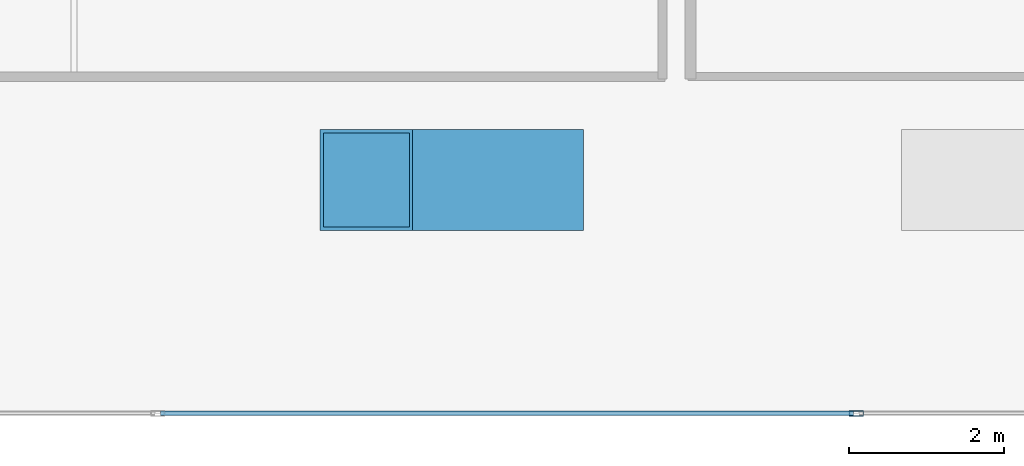
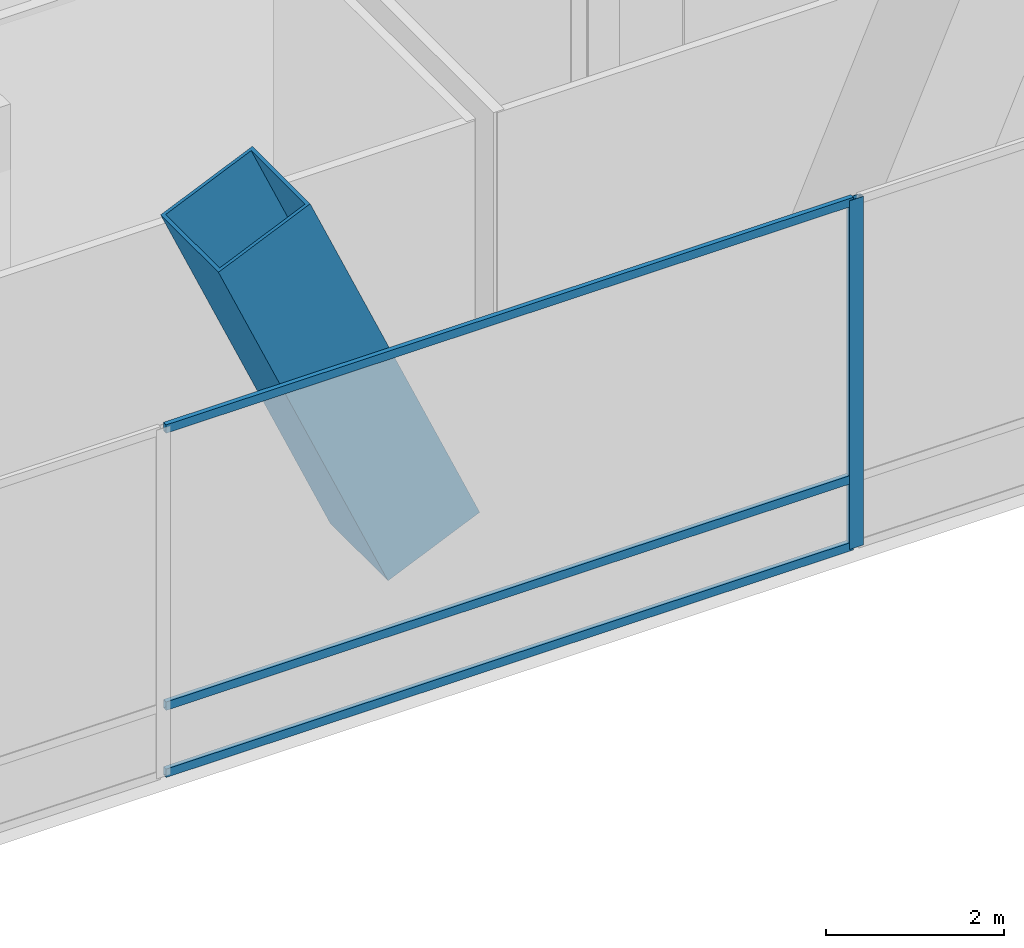
# One storey, part 13 of 42: 5 members, 1 element without a shape of its own.
"""IFC4 building model written with IfcOpenShell, lengths in metres."""

from ifc_helpers import new_model, si_unit, direction, frame, origin, origin_2d, place, context, subcontext, project, spatial, hollow_rectangle, extrude, material, layer, layer_set, material_profile, profile_set, type_object, element, aggregate, save


model = new_model("IFC4")

# Units and contexts
model_context = context("Model", 3, precision=1e-05, world=origin(), true_north=direction((0.0, 1.0)))
body_context = subcontext(model_context, "Body", "Model", "MODEL_VIEW")
ifc_project = project(units=[si_unit("LENGTHUNIT", "METRE"), si_unit("AREAUNIT", "SQUARE_METRE"), si_unit("VOLUMEUNIT", "CUBIC_METRE"), si_unit("PLANEANGLEUNIT", "RADIAN"), si_unit("MASSUNIT", "GRAM", prefix="KILO")], contexts=[model_context])

# Site, building, storey
site_placement = place(None, origin())
site = spatial("IfcSite", under=ifc_project, at=site_placement, CompositionType="ELEMENT")
building_placement = place(site_placement, origin())
building = spatial("IfcBuilding", under=site, at=building_placement, Name="Qianvela Tower", CompositionType="ELEMENT")
storey_placement = place(building_placement, frame((0.0, 0.0, 6.0)))
storey = spatial("IfcBuildingStorey", under=building, at=storey_placement, Name="L01", CompositionType="ELEMENT", Elevation=6.0)

# Curtain wall, members
ifc_material_1 = material(Name="Anodised Architectural Aluminium and Low-E Glass", Category="aluminium")
ifc_layer = layer(ifc_material_1, 0.179931640625)
ifc_layer_set = layer_set([ifc_layer], Name="Anodised Architectural Aluminium and Low-E Glass")
curtain_wall_type = type_object("IfcCurtainWallType", Name="CW-COMMONS", PredefinedType="USERDEFINED", material=ifc_layer_set)
curtain_wall_placement = place(storey_placement, origin())
curtain_wall = element("IfcCurtainWall", 1, at=curtain_wall_placement, inside=storey, type_object=curtain_wall_type, Name="L01 CW-COMMONS Curtain Wall 01", ObjectType="CURTAIN_WALL_SYSTEM", PredefinedType="USERDEFINED")
ifc_material_2 = material(Name="Anodised Architectural Aluminium 6063-T6", Category="aluminium")
ifc_material_profile_1 = material_profile(ifc_material_2, hollow_rectangle(XDim=0.070068359375, YDim=0.179931640625, WallThickness=0.0048828125, at=origin_2d()), Name="ALU-MULL-70x180")
ifc_profile_set_1 = profile_set([ifc_material_profile_1], Name="Anodised Architectural Aluminium 6063-T6")
member_type_1 = type_object("IfcMemberType", Name="CW-COMMONS-MULL", PredefinedType="MULLION", material=ifc_profile_set_1)
member_1_placement = place(storey_placement, frame((59.96435546875, 1.5, 0.0), z_axis=(0.0, 0.0, 1.0), x_axis=(0.0, 1.0, 0.0)))
member_1 = element("IfcMember", 2, at=member_1_placement, type_object=member_type_1, Name="CW-2 mullion 7", PredefinedType="MULLION", context=body_context, shape_type="SweptSolid", body=[
    extrude(hollow_rectangle(XDim=0.070068359375, YDim=0.179931640625, WallThickness=0.0048828125, at=origin_2d()), origin(), (0.0, 0.0, 1.0), 4.780029296875),
])
ifc_material_3 = material(Name="Anodised Architectural Aluminium 6063-T6", Category="aluminium")
ifc_material_profile_2 = material_profile(ifc_material_3, hollow_rectangle(XDim=0.06005859375, YDim=0.114990234375, WallThickness=0.00390625, at=origin_2d()), Name="ALU-TRAN-60x115")
ifc_profile_set_2 = profile_set([ifc_material_profile_2], Name="Anodised Architectural Aluminium 6063-T6")
member_type_2 = type_object("IfcMemberType", Name="CW-COMMONS-TRAN", PredefinedType="USERDEFINED", material=ifc_profile_set_2)
member_2_placement = place(storey_placement, frame((51.013671875, 1.5, 0.030029296875), z_axis=(1.0, 0.0, 0.0), x_axis=(0.0, 1.0, 0.0)))
member_2 = element("IfcMember", 3, at=member_2_placement, type_object=member_type_2, Name="CW-2 transom 6.1", ObjectType="TRANSOM", PredefinedType="USERDEFINED", context=body_context, shape_type="SweptSolid", body=[
    extrude(hollow_rectangle(XDim=0.06005859375, YDim=0.114990234375, WallThickness=0.00390625, at=origin_2d()), origin(), (0.0, 0.0, 1.0), 8.91552734375),
])
member_3_placement = place(storey_placement, frame((51.013671875, 1.5, 0.949951171875), z_axis=(1.0, 0.0, 0.0), x_axis=(0.0, 1.0, 0.0)))
member_3 = element("IfcMember", 4, at=member_3_placement, type_object=member_type_2, Name="CW-2 transom 6.2", ObjectType="TRANSOM", PredefinedType="USERDEFINED", context=body_context, shape_type="SweptSolid", body=[
    extrude(hollow_rectangle(XDim=0.06005859375, YDim=0.114990234375, WallThickness=0.00390625, at=origin_2d()), origin(), (0.0, 0.0, 1.0), 8.91552734375),
])
member_4_placement = place(storey_placement, frame((51.013671875, 1.5, 4.75), z_axis=(1.0, 0.0, 0.0), x_axis=(0.0, 1.0, 0.0)))
member_4 = element("IfcMember", 5, at=member_4_placement, type_object=member_type_2, Name="CW-2 transom 6.3", ObjectType="TRANSOM", PredefinedType="USERDEFINED", context=body_context, shape_type="SweptSolid", body=[
    extrude(hollow_rectangle(XDim=0.06005859375, YDim=0.114990234375, WallThickness=0.00390625, at=origin_2d()), origin(), (0.0, 0.0, 1.0), 8.91552734375),
])
aggregate(curtain_wall, [member_1, member_2, member_3, member_4])

# Member
ifc_material_4 = material(Name="Steel Q420GJC", Category="steel")
ifc_material_profile_3 = material_profile(ifc_material_4, hollow_rectangle(XDim=1.300048828125, YDim=1.300048828125, WallThickness=0.044921875, at=origin_2d()), Name="VBOX-1300x1300x45")
ifc_profile_set_3 = profile_set([ifc_material_profile_3], Name="Steel Q420GJC")
member_type_3 = type_object("IfcMemberType", Name="MBR-VCOL-1300", PredefinedType="POST", material=ifc_profile_set_3)
member_5_placement = place(storey_placement, frame((55.860595703125, 4.5, 0.0), z_axis=(-0.402618783225, 0.0, 0.915367748719), x_axis=(0.0, -1.0, 0.0)))
element("IfcMember", 6, at=member_5_placement, inside=storey, type_object=member_type_3, Name="L01 Concourse Inclined V-Column VC-S3 Leg L", PredefinedType="POST", context=body_context, shape_type="SweptSolid", body=[
    extrude(hollow_rectangle(XDim=1.300048828125, YDim=1.300048828125, WallThickness=0.044921875, at=origin_2d()), origin(), (0.0, 0.0, 1.0), 5.46240234375),
])

save(model, "model.ifc")
